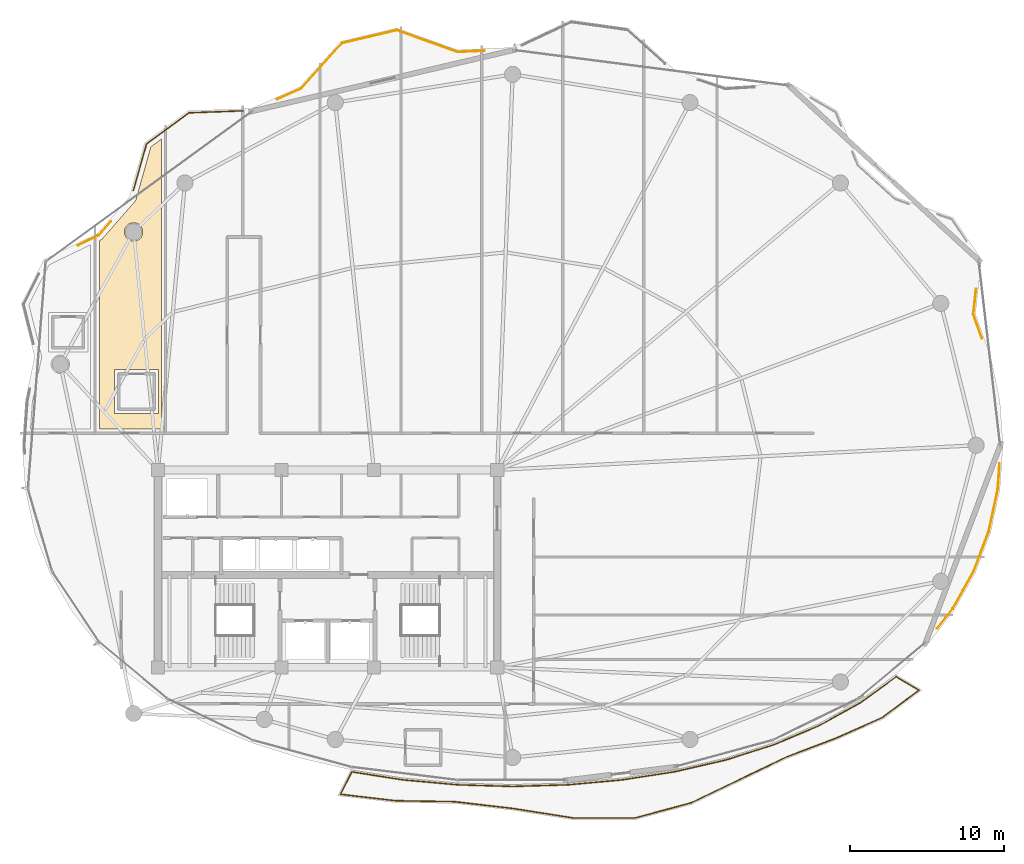
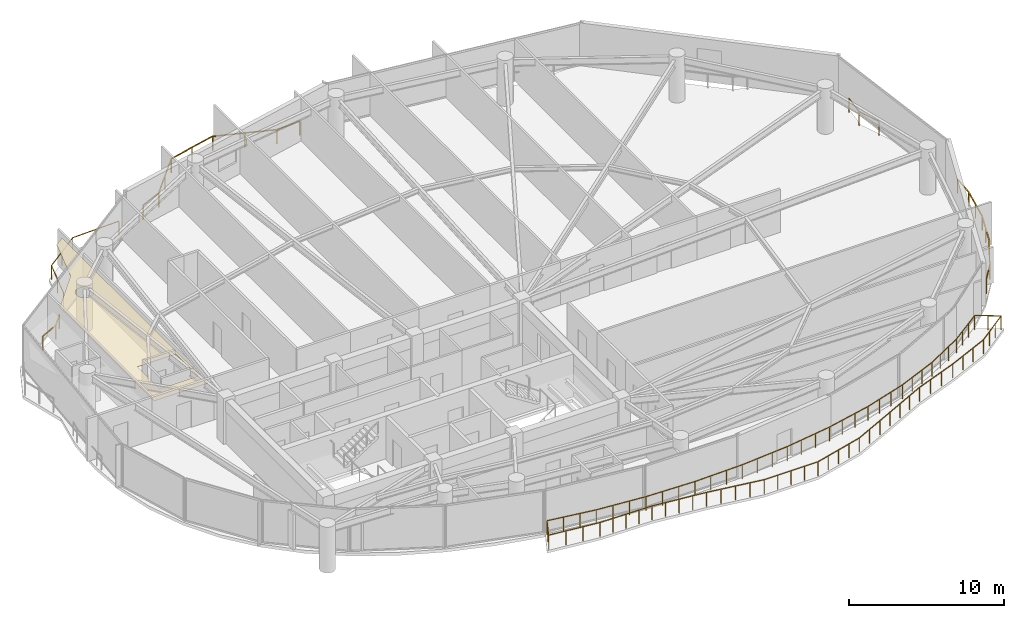
# One storey, part 30 of 31: 6 railings, 1 covering.
"""IFC4 building model written with IfcOpenShell, lengths in metres."""

from ifc_helpers import new_model, si_unit, direction, frame, origin, origin_2d, place, context, subcontext, project, spatial, polyline, rectangle, outline, extrude, material, layer, layer_set, type_object, element, save


model = new_model("IFC4")

# Units and contexts
model_context = context("Model", 3, precision=1e-05, world=origin(), true_north=direction((0.0, 1.0)))
body_context = subcontext(model_context, "Body", "Model", "MODEL_VIEW")
ifc_project = project(units=[si_unit("LENGTHUNIT", "METRE"), si_unit("AREAUNIT", "SQUARE_METRE"), si_unit("VOLUMEUNIT", "CUBIC_METRE"), si_unit("PLANEANGLEUNIT", "RADIAN"), si_unit("MASSUNIT", "GRAM", prefix="KILO")], contexts=[model_context])

# Site, building, storey
site_placement = place(None, origin())
site = spatial("IfcSite", under=ifc_project, at=site_placement, CompositionType="ELEMENT")
building_placement = place(site_placement, origin())
building = spatial("IfcBuilding", under=site, at=building_placement, Name="Kazevale Care Tower and Concert Hall", CompositionType="ELEMENT")
storey_placement = place(building_placement, frame((0.0, 0.0, 235.199951171875)))
storey = spatial("IfcBuildingStorey", under=building, at=storey_placement, Name="L62", CompositionType="ELEMENT", Elevation=235.199951171875)

# Covering
ifc_material_1 = material(Name="Acoustic Plaster and Hinoki Wood", Category="wood")
ifc_layer = layer(ifc_material_1, 0.0400390625)
ifc_layer_set = layer_set([ifc_layer], Name="Acoustic Plaster and Hinoki Wood")
covering_type = type_object("IfcCoveringType", Name="Acoustic Perforated Wood-Gypsum Ceiling", PredefinedType="CEILING", material=ifc_layer_set)
covering_placement = place(storey_placement, frame((0.0, 0.0, 2.7099609375)))
element("IfcCovering", 1, at=covering_placement, inside=storey, type_object=covering_type, Name="clg:L62:2", PredefinedType="CEILING", context=body_context, shape_type="SweptSolid", body=[
    extrude(outline(polyline([(22.219970703125, 39.054931640625), (18.199951171875, 39.054931640625), (18.199951171875, 51.27587890625), (18.35888671875, 51.35302734375), (20.552001953125, 53.861083984375), (21.534912109375, 57.344970703125), (22.219970703125, 57.84912109375), (22.219970703125, 39.054931640625)]), holes=[polyline([(19.18994140625, 42.905029296875), (19.18994140625, 40.044921875), (22.050048828125, 40.044921875), (22.050048828125, 42.905029296875), (19.18994140625, 42.905029296875)]), polyline([(21.012939453125, 51.947998046875), (20.923095703125, 52.166015625), (20.756103515625, 52.3330078125), (20.5380859375, 52.423095703125), (20.302001953125, 52.423095703125), (20.083984375, 52.3330078125), (19.9169921875, 52.166015625), (19.826904296875, 51.947998046875), (19.826904296875, 51.7119140625), (19.9169921875, 51.493896484375), (20.083984375, 51.326904296875), (20.302001953125, 51.237060546875), (20.5380859375, 51.237060546875), (20.756103515625, 51.326904296875), (20.923095703125, 51.493896484375), (21.012939453125, 51.7119140625), (21.012939453125, 51.947998046875)])]), origin(), (0.0, 0.0, 1.0), 0.0400390625),
])

# Railings
ifc_material_2 = material(Name="Anodised Bronze Aluminium and Laminated Glass", Category="aluminium")
railing_type = type_object("IfcRailingType", Name="Balcony and Terrace Balustrade 1120", PredefinedType="BALUSTRADE", material=ifc_material_2)
railing_1_placement = place(storey_placement, frame((16.83203125, 50.968994140625, 0.0)))
element("IfcRailing", 2, at=railing_1_placement, inside=storey, type_object=railing_type, Name="rail:L62:perim:3", PredefinedType="BALUSTRADE", context=body_context, shape_type="SweptSolid", body=[
    extrude(rectangle(XDim=0.048095703125, YDim=0.048095703125, at=origin_2d()), frame((0.0, 0.0, 1.09619140625), z_axis=(0.899880965399, 0.436135584553, 0.0), x_axis=(-0.436135584553, 0.899880965399, 0.0)), (0.0, 0.0, 1.0), 1.476806640625),
    extrude(rectangle(XDim=0.048095703125, YDim=0.048095703125, at=origin_2d()), frame((1.328857421875, 0.64404296875, 1.09619140625), z_axis=(0.658533673371, 0.752551261402, 0.0), x_axis=(-0.752551261402, 0.658533673371, 0.0)), (0.0, 0.0, 1.0), 1.189208984375),
    extrude(rectangle(XDim=0.0419921875, YDim=0.0419921875, at=origin_2d()), origin(), (0.0, 0.0, 1.0), 1.072021484375),
    extrude(rectangle(XDim=0.0419921875, YDim=0.0419921875, at=origin_2d()), frame((1.328857421875, 0.64404296875, 0.0)), (0.0, 0.0, 1.0), 1.072021484375),
    extrude(rectangle(XDim=0.0419921875, YDim=0.0419921875, at=origin_2d()), frame((2.112060546875, 1.5390625, 0.0)), (0.0, 0.0, 1.0), 1.072021484375),
])
railing_2_placement = place(storey_placement, frame((20.403076171875, 54.511962890625, 0.0)))
element("IfcRailing", 3, at=railing_2_placement, inside=storey, type_object=railing_type, Name="rail:L62:perim:4", PredefinedType="BALUSTRADE", context=body_context, shape_type="SweptSolid", body=[
    extrude(rectangle(XDim=0.048095703125, YDim=0.048095703125, at=origin_2d()), frame((0.0, 0.0, 1.09619140625), z_axis=(0.27160216444, 0.962409613559, 0.0), x_axis=(-0.962409613559, 0.27160216444, 0.0)), (0.0, 0.0, 1.0), 3.144287109375),
    extrude(rectangle(XDim=0.048095703125, YDim=0.048095703125, at=origin_2d()), frame((0.85400390625, 3.026123046875, 1.09619140625), z_axis=(0.805881115656, 0.592077382973, 0.0), x_axis=(-0.592077382973, 0.805881115656, 0.0)), (0.0, 0.0, 1.0), 3.40966796875),
    extrude(rectangle(XDim=0.048095703125, YDim=0.048095703125, at=origin_2d()), frame((3.601806640625, 5.044921875, 1.09619140625), z_axis=(0.999339175446, 0.036348485787, 0.0), x_axis=(-0.036348485787, 0.999339175446, 0.0)), (0.0, 0.0, 1.0), 3.499267578125),
    extrude(rectangle(XDim=0.0419921875, YDim=0.0419921875, at=origin_2d()), origin(), (0.0, 0.0, 1.0), 1.072021484375),
    extrude(rectangle(XDim=0.0419921875, YDim=0.0419921875, at=origin_2d()), frame((0.427001953125, 1.51318359375, 0.0)), (0.0, 0.0, 1.0), 1.072021484375),
    extrude(rectangle(XDim=0.0419921875, YDim=0.0419921875, at=origin_2d()), frame((0.85400390625, 3.026123046875, 0.0)), (0.0, 0.0, 1.0), 1.072021484375),
    extrude(rectangle(XDim=0.0419921875, YDim=0.0419921875, at=origin_2d()), frame((2.22802734375, 4.03564453125, 0.0)), (0.0, 0.0, 1.0), 1.072021484375),
    extrude(rectangle(XDim=0.0419921875, YDim=0.0419921875, at=origin_2d()), frame((3.601806640625, 5.044921875, 0.0)), (0.0, 0.0, 1.0), 1.072021484375),
    extrude(rectangle(XDim=0.0419921875, YDim=0.0419921875, at=origin_2d()), frame((5.350341796875, 5.1083984375, 0.0)), (0.0, 0.0, 1.0), 1.072021484375),
    extrude(rectangle(XDim=0.0419921875, YDim=0.0419921875, at=origin_2d()), frame((7.098876953125, 5.172119140625, 0.0)), (0.0, 0.0, 1.0), 1.072021484375),
])
railing_3_placement = place(storey_placement, frame((29.737060546875, 60.43505859375, 0.0)))
element("IfcRailing", 4, at=railing_3_placement, inside=storey, type_object=railing_type, Name="rail:L62:perim:5", PredefinedType="BALUSTRADE", context=body_context, shape_type="SweptSolid", body=[
    extrude(rectangle(XDim=0.048095703125, YDim=0.048095703125, at=origin_2d()), frame((0.0, 0.0, 1.09619140625), z_axis=(0.912729386392, 0.408564642641, 0.0), x_axis=(-0.408564642641, 0.912729386392, 0.0)), (0.0, 0.0, 1.0), 1.6982421875),
    extrude(rectangle(XDim=0.048095703125, YDim=0.048095703125, at=origin_2d()), frame((1.550048828125, 0.69384765625, 1.09619140625), z_axis=(0.668500240789, 0.743711925456, 0.0), x_axis=(-0.743711925456, 0.668500240789, 0.0)), (0.0, 0.0, 1.0), 3.950439453125),
    extrude(rectangle(XDim=0.048095703125, YDim=0.048095703125, at=origin_2d()), frame((4.19091796875, 3.6318359375, 1.09619140625), z_axis=(0.97312090779, 0.2302948085, 0.0), x_axis=(-0.2302948085, 0.97312090779, 0.0)), (0.0, 0.0, 1.0), 3.652099609375),
    extrude(rectangle(XDim=0.048095703125, YDim=0.048095703125, at=origin_2d()), frame((7.744873046875, 4.472900390625, 1.09619140625), z_axis=(0.941350252636, -0.337431032749, 0.0), x_axis=(0.337431032749, 0.941350252636, 0.0)), (0.0, 0.0, 1.0), 4.18115234375),
    extrude(rectangle(XDim=0.048095703125, YDim=0.048095703125, at=origin_2d()), frame((11.680908203125, 3.06201171875, 1.09619140625), z_axis=(0.998977358959, 0.045213231333, 0.0), x_axis=(-0.045213231333, 0.998977358959, 0.0)), (0.0, 0.0, 1.0), 1.765625),
    extrude(rectangle(XDim=0.0419921875, YDim=0.0419921875, at=origin_2d()), origin(), (0.0, 0.0, 1.0), 1.072021484375),
    extrude(rectangle(XDim=0.0419921875, YDim=0.0419921875, at=origin_2d()), frame((1.550048828125, 0.69384765625, 0.0)), (0.0, 0.0, 1.0), 1.072021484375),
    extrude(rectangle(XDim=0.0419921875, YDim=0.0419921875, at=origin_2d()), frame((2.87060546875, 2.162841796875, 0.0)), (0.0, 0.0, 1.0), 1.072021484375),
    extrude(rectangle(XDim=0.0419921875, YDim=0.0419921875, at=origin_2d()), frame((4.19091796875, 3.6318359375, 0.0)), (0.0, 0.0, 1.0), 1.072021484375),
    extrude(rectangle(XDim=0.0419921875, YDim=0.0419921875, at=origin_2d()), frame((5.9677734375, 4.05224609375, 0.0)), (0.0, 0.0, 1.0), 1.072021484375),
    extrude(rectangle(XDim=0.0419921875, YDim=0.0419921875, at=origin_2d()), frame((7.744873046875, 4.472900390625, 0.0)), (0.0, 0.0, 1.0), 1.072021484375),
    extrude(rectangle(XDim=0.0419921875, YDim=0.0419921875, at=origin_2d()), frame((9.712890625, 3.767578125, 0.0)), (0.0, 0.0, 1.0), 1.072021484375),
    extrude(rectangle(XDim=0.0419921875, YDim=0.0419921875, at=origin_2d()), frame((11.680908203125, 3.06201171875, 0.0)), (0.0, 0.0, 1.0), 1.072021484375),
    extrude(rectangle(XDim=0.0419921875, YDim=0.0419921875, at=origin_2d()), frame((13.44482421875, 3.141845703125, 0.0)), (0.0, 0.0, 1.0), 1.072021484375),
])
railing_4_placement = place(storey_placement, frame((76.576904296875, 36.81103515625, 0.0)))
element("IfcRailing", 5, at=railing_4_placement, inside=storey, type_object=railing_type, Name="rail:L62:perim:11", PredefinedType="BALUSTRADE", context=body_context, shape_type="SweptSolid", body=[
    extrude(rectangle(XDim=0.048095703125, YDim=0.048095703125, at=origin_2d()), frame((0.0, 0.0, 1.09619140625), z_axis=(-0.069683140934, -0.997569175481, 0.0), x_axis=(0.997569175481, -0.069683140934, 0.0)), (0.0, 0.0, 1.0), 1.664306640625),
    extrude(rectangle(XDim=0.048095703125, YDim=0.048095703125, at=origin_2d()), frame((-0.115966796875, -1.66015625, 1.09619140625), z_axis=(-0.210886672564, -0.97751051725, 0.0), x_axis=(0.97751051725, -0.210886672564, 0.0)), (0.0, 0.0, 1.0), 2.81201171875),
    extrude(rectangle(XDim=0.048095703125, YDim=0.048095703125, at=origin_2d()), frame((-0.708984375, -4.408935546875, 1.09619140625), z_axis=(-0.352914941795, -0.935655408715, 0.0), x_axis=(0.935655408715, -0.352914941795, 0.0)), (0.0, 0.0, 1.0), 2.77685546875),
    extrude(rectangle(XDim=0.048095703125, YDim=0.048095703125, at=origin_2d()), frame((-1.68896484375, -7.007080078125, 1.09619140625), z_axis=(-0.490131162051, -0.871648692987, 0.0), x_axis=(0.871648692987, -0.490131162051, 0.0)), (0.0, 0.0, 1.0), 2.762451171875),
    extrude(rectangle(XDim=0.048095703125, YDim=0.048095703125, at=origin_2d()), frame((-3.04296875, -9.4150390625, 1.09619140625), z_axis=(-0.615507243123, -0.788131228707, 0.0), x_axis=(0.788131228707, -0.615507243123, 0.0)), (0.0, 0.0, 1.0), 1.6279296875),
    extrude(rectangle(XDim=0.0419921875, YDim=0.0419921875, at=origin_2d()), origin(), (0.0, 0.0, 1.0), 1.072021484375),
    extrude(rectangle(XDim=0.0419921875, YDim=0.0419921875, at=origin_2d()), frame((-0.115966796875, -1.66015625, 0.0)), (0.0, 0.0, 1.0), 1.072021484375),
    extrude(rectangle(XDim=0.0419921875, YDim=0.0419921875, at=origin_2d()), frame((-0.41259765625, -3.03466796875, 0.0)), (0.0, 0.0, 1.0), 1.072021484375),
    extrude(rectangle(XDim=0.0419921875, YDim=0.0419921875, at=origin_2d()), frame((-0.708984375, -4.408935546875, 0.0)), (0.0, 0.0, 1.0), 1.072021484375),
    extrude(rectangle(XDim=0.0419921875, YDim=0.0419921875, at=origin_2d()), frame((-1.198974609375, -5.7080078125, 0.0)), (0.0, 0.0, 1.0), 1.072021484375),
    extrude(rectangle(XDim=0.0419921875, YDim=0.0419921875, at=origin_2d()), frame((-1.68896484375, -7.007080078125, 0.0)), (0.0, 0.0, 1.0), 1.072021484375),
    extrude(rectangle(XDim=0.0419921875, YDim=0.0419921875, at=origin_2d()), frame((-2.365966796875, -8.2109375, 0.0)), (0.0, 0.0, 1.0), 1.072021484375),
    extrude(rectangle(XDim=0.0419921875, YDim=0.0419921875, at=origin_2d()), frame((-3.04296875, -9.4150390625, 0.0)), (0.0, 0.0, 1.0), 1.072021484375),
    extrude(rectangle(XDim=0.0419921875, YDim=0.0419921875, at=origin_2d()), frame((-4.044921875, -10.697998046875, 0.0)), (0.0, 0.0, 1.0), 1.072021484375),
])
railing_5_placement = place(storey_placement, frame((75.054931640625, 48.138916015625, 0.0)))
element("IfcRailing", 6, at=railing_5_placement, inside=storey, type_object=railing_type, Name="rail:L62:perim:12", PredefinedType="BALUSTRADE", context=body_context, shape_type="SweptSolid", body=[
    extrude(rectangle(XDim=0.048095703125, YDim=0.048095703125, at=origin_2d()), frame((0.0, 0.0, 1.09619140625), z_axis=(-0.110627099756, -0.993861984784, 0.0), x_axis=(0.993861984784, -0.110627099756, 0.0)), (0.0, 0.0, 1.0), 1.64404296875),
    extrude(rectangle(XDim=0.048095703125, YDim=0.048095703125, at=origin_2d()), frame((-0.181884765625, -1.634033203125, 1.09619140625), z_axis=(0.334582750454, -0.942366374134, 0.0), x_axis=(0.942366374134, 0.334582750454, 0.0)), (0.0, 0.0, 1.0), 1.65869140625),
    extrude(rectangle(XDim=0.0419921875, YDim=0.0419921875, at=origin_2d()), origin(), (0.0, 0.0, 1.0), 1.072021484375),
    extrude(rectangle(XDim=0.0419921875, YDim=0.0419921875, at=origin_2d()), frame((-0.181884765625, -1.634033203125, 0.0)), (0.0, 0.0, 1.0), 1.072021484375),
    extrude(rectangle(XDim=0.0419921875, YDim=0.0419921875, at=origin_2d()), frame((0.373046875, -3.197021484375, 0.0)), (0.0, 0.0, 1.0), 1.072021484375),
])
railing_6_placement = place(storey_placement, frame((34.56298828125, 16.819091796875, 0.0)))
element("IfcRailing", 7, at=railing_6_placement, inside=storey, type_object=railing_type, Name="rail:L62:balcony", PredefinedType="BALUSTRADE", context=body_context, shape_type="SweptSolid", body=[
    extrude(rectangle(XDim=0.048095703125, YDim=0.048095703125, at=origin_2d()), frame((0.0, 0.0, 1.09619140625), z_axis=(0.988093340761, -0.15385561395, 0.0), x_axis=(0.15385561395, 0.988093340761, 0.0)), (0.0, 0.0, 1.0), 3.38623046875),
    extrude(rectangle(XDim=0.048095703125, YDim=0.048095703125, at=origin_2d()), frame((3.345947265625, -0.52099609375, 1.09619140625), z_axis=(0.995947899496, -0.089932093766, 0.0), x_axis=(0.089932093766, 0.995947899496, 0.0)), (0.0, 0.0, 1.0), 3.537353515625),
    extrude(rectangle(XDim=0.048095703125, YDim=0.048095703125, at=origin_2d()), frame((6.868896484375, -0.839111328125, 1.09619140625), z_axis=(0.999567458851, -0.029409100739, 0.0), x_axis=(0.029409100739, 0.999567458851, 0.0)), (0.0, 0.0, 1.0), 3.569580078125),
    extrude(rectangle(XDim=0.048095703125, YDim=0.048095703125, at=origin_2d()), frame((10.43701171875, -0.944091796875, 1.09619140625), z_axis=(0.999567458851, 0.029409100739, 0.0), x_axis=(-0.029409100739, 0.999567458851, 0.0)), (0.0, 0.0, 1.0), 3.569580078125),
    extrude(rectangle(XDim=0.048095703125, YDim=0.048095703125, at=origin_2d()), frame((14.005126953125, -0.839111328125, 1.09619140625), z_axis=(0.995947899496, 0.089932093766, 0.0), x_axis=(-0.089932093766, 0.995947899496, 0.0)), (0.0, 0.0, 1.0), 3.537353515625),
    extrude(rectangle(XDim=0.048095703125, YDim=0.048095703125, at=origin_2d()), frame((17.528076171875, -0.52099609375, 1.09619140625), z_axis=(0.988098216207, 0.153824299539, 0.0), x_axis=(-0.153824299539, 0.988098216207, 0.0)), (0.0, 0.0, 1.0), 3.4775390625),
    extrude(rectangle(XDim=0.048095703125, YDim=0.048095703125, at=origin_2d()), frame((20.964111328125, 0.013916015625, 1.09619140625), z_axis=(0.974534254558, 0.224238682418, 0.0), x_axis=(-0.224238682418, 0.974534254558, 0.0)), (0.0, 0.0, 1.0), 3.389404296875),
    extrude(rectangle(XDim=0.048095703125, YDim=0.048095703125, at=origin_2d()), frame((24.26708984375, 0.77392578125, 1.09619140625), z_axis=(0.953239514235, 0.302215864078, 0.0), x_axis=(-0.302215864078, 0.953239514235, 0.0)), (0.0, 0.0, 1.0), 3.285400390625),
    extrude(rectangle(XDim=0.048095703125, YDim=0.048095703125, at=origin_2d()), frame((27.39892578125, 1.766845703125, 1.09619140625), z_axis=(0.921006567992, 0.389547046858, 0.0), x_axis=(-0.389547046858, 0.921006567992, 0.0)), (0.0, 0.0, 1.0), 3.170654296875),
    extrude(rectangle(XDim=0.048095703125, YDim=0.048095703125, at=origin_2d()), frame((30.319091796875, 3.001953125, 1.09619140625), z_axis=(0.874149737903, 0.485656499724, 0.0), x_axis=(-0.485656499724, 0.874149737903, 0.0)), (0.0, 0.0, 1.0), 3.055419921875),
    extrude(rectangle(XDim=0.048095703125, YDim=0.048095703125, at=origin_2d()), frame((32.989990234375, 4.48583984375, 1.09619140625), z_axis=(0.809111467971, 0.587655198562, 0.0), x_axis=(-0.587655198562, 0.809111467971, 0.0)), (0.0, 0.0, 1.0), 2.867431640625),
    extrude(rectangle(XDim=0.048095703125, YDim=0.048095703125, at=origin_2d()), frame((35.31005859375, 6.1708984375, 1.09619140625), z_axis=(0.858501274941, -0.512811428231, 0.0), x_axis=(0.512811428231, 0.858501274941, 0.0)), (0.0, 0.0, 1.0), 1.706298828125),
    extrude(rectangle(XDim=0.048095703125, YDim=0.048095703125, at=origin_2d()), frame((36.77490234375, 5.2958984375, 1.09619140625), z_axis=(-0.798998472515, -0.60133305324, 0.0), x_axis=(0.60133305324, -0.798998472515, 0.0)), (0.0, 0.0, 1.0), 2.928466796875),
    extrude(rectangle(XDim=0.048095703125, YDim=0.048095703125, at=origin_2d()), frame((34.43505859375, 3.534912109375, 1.09619140625), z_axis=(-0.913634171515, -0.406537329947, 0.0), x_axis=(0.406537329947, -0.913634171515, 0.0)), (0.0, 0.0, 1.0), 3.350341796875),
    extrude(rectangle(XDim=0.048095703125, YDim=0.048095703125, at=origin_2d()), frame((31.3740234375, 2.1728515625, 1.09619140625), z_axis=(-0.935008233728, -0.35462600421, 0.0), x_axis=(0.35462600421, -0.935008233728, 0.0)), (0.0, 0.0, 1.0), 3.38916015625),
    extrude(rectangle(XDim=0.048095703125, YDim=0.048095703125, at=origin_2d()), frame((28.205078125, 0.970947265625, 1.09619140625), z_axis=(-0.900843112314, -0.434144776539, 0.0), x_axis=(0.434144776539, -0.900843112314, 0.0)), (0.0, 0.0, 1.0), 3.3447265625),
    extrude(rectangle(XDim=0.048095703125, YDim=0.048095703125, at=origin_2d()), frame((25.19189453125, -0.481201171875, 1.09619140625), z_axis=(-0.901317076738, -0.433159932565, 0.0), x_axis=(0.433159932565, -0.901317076738, 0.0)), (0.0, 0.0, 1.0), 3.515869140625),
    extrude(rectangle(XDim=0.048095703125, YDim=0.048095703125, at=origin_2d()), frame((22.02294921875, -2.004150390625, 1.09619140625), z_axis=(-0.965580087265, -0.260105930493, 0.0), x_axis=(0.260105930493, -0.965580087265, 0.0)), (0.0, 0.0, 1.0), 3.767578125),
    extrude(rectangle(XDim=0.048095703125, YDim=0.048095703125, at=origin_2d()), frame((18.385009765625, -2.984130859375, 1.09619140625), z_axis=(-0.999997959398, -0.002020197898, 0.0), x_axis=(0.002020197898, -0.999997959398, 0.0)), (0.0, 0.0, 1.0), 3.988037109375),
    extrude(rectangle(XDim=0.048095703125, YDim=0.048095703125, at=origin_2d()), frame((14.39697265625, -2.9921875, 1.09619140625), z_axis=(-0.987787742655, 0.155805569412, 0.0), x_axis=(-0.155805569412, -0.987787742655, 0.0)), (0.0, 0.0, 1.0), 3.99267578125),
    extrude(rectangle(XDim=0.048095703125, YDim=0.048095703125, at=origin_2d()), frame((10.453125, -2.3701171875, 1.09619140625), z_axis=(-0.993345948438, 0.115168688115, 0.0), x_axis=(-0.115168688115, -0.993345948438, 0.0)), (0.0, 0.0, 1.0), 3.8115234375),
    extrude(rectangle(XDim=0.048095703125, YDim=0.048095703125, at=origin_2d()), frame((6.6669921875, -1.93115234375, 1.09619140625), z_axis=(-0.999876497549, 0.015715904313, 0.0), x_axis=(-0.015715904313, -0.999876497549, 0.0)), (0.0, 0.0, 1.0), 3.821533203125),
    extrude(rectangle(XDim=0.048095703125, YDim=0.048095703125, at=origin_2d()), frame((2.845947265625, -1.87109375, 1.09619140625), z_axis=(-0.993152458718, 0.116825484133, 0.0), x_axis=(-0.116825484133, -0.993152458718, 0.0)), (0.0, 0.0, 1.0), 3.594482421875),
    extrude(rectangle(XDim=0.048095703125, YDim=0.048095703125, at=origin_2d()), frame((-0.723876953125, -1.451171875, 1.09619140625), z_axis=(0.446370336507, 0.894848323844, 0.0), x_axis=(-0.894848323844, 0.446370336507, 0.0)), (0.0, 0.0, 1.0), 1.62158203125),
    extrude(rectangle(XDim=0.0419921875, YDim=0.0419921875, at=origin_2d()), origin(), (0.0, 0.0, 1.0), 1.072021484375),
    extrude(rectangle(XDim=0.0419921875, YDim=0.0419921875, at=origin_2d()), frame((1.115234375, -0.173583984375, 0.0)), (0.0, 0.0, 1.0), 1.072021484375),
    extrude(rectangle(XDim=0.0419921875, YDim=0.0419921875, at=origin_2d()), frame((2.230712890625, -0.347412109375, 0.0)), (0.0, 0.0, 1.0), 1.072021484375),
    extrude(rectangle(XDim=0.0419921875, YDim=0.0419921875, at=origin_2d()), frame((3.345947265625, -0.52099609375, 0.0)), (0.0, 0.0, 1.0), 1.072021484375),
    extrude(rectangle(XDim=0.0419921875, YDim=0.0419921875, at=origin_2d()), frame((4.520263671875, -0.626953125, 0.0)), (0.0, 0.0, 1.0), 1.072021484375),
    extrude(rectangle(XDim=0.0419921875, YDim=0.0419921875, at=origin_2d()), frame((5.694580078125, -0.733154296875, 0.0)), (0.0, 0.0, 1.0), 1.072021484375),
    extrude(rectangle(XDim=0.0419921875, YDim=0.0419921875, at=origin_2d()), frame((6.868896484375, -0.839111328125, 0.0)), (0.0, 0.0, 1.0), 1.072021484375),
    extrude(rectangle(XDim=0.0419921875, YDim=0.0419921875, at=origin_2d()), frame((8.058349609375, -0.8740234375, 0.0)), (0.0, 0.0, 1.0), 1.072021484375),
    extrude(rectangle(XDim=0.0419921875, YDim=0.0419921875, at=origin_2d()), frame((9.24755859375, -0.9091796875, 0.0)), (0.0, 0.0, 1.0), 1.072021484375),
    extrude(rectangle(XDim=0.0419921875, YDim=0.0419921875, at=origin_2d()), frame((10.43701171875, -0.944091796875, 0.0)), (0.0, 0.0, 1.0), 1.072021484375),
    extrude(rectangle(XDim=0.0419921875, YDim=0.0419921875, at=origin_2d()), frame((11.62646484375, -0.9091796875, 0.0)), (0.0, 0.0, 1.0), 1.072021484375),
    extrude(rectangle(XDim=0.0419921875, YDim=0.0419921875, at=origin_2d()), frame((12.815673828125, -0.8740234375, 0.0)), (0.0, 0.0, 1.0), 1.072021484375),
    extrude(rectangle(XDim=0.0419921875, YDim=0.0419921875, at=origin_2d()), frame((14.005126953125, -0.839111328125, 0.0)), (0.0, 0.0, 1.0), 1.072021484375),
    extrude(rectangle(XDim=0.0419921875, YDim=0.0419921875, at=origin_2d()), frame((15.179443359375, -0.733154296875, 0.0)), (0.0, 0.0, 1.0), 1.072021484375),
    extrude(rectangle(XDim=0.0419921875, YDim=0.0419921875, at=origin_2d()), frame((16.353759765625, -0.626953125, 0.0)), (0.0, 0.0, 1.0), 1.072021484375),
    extrude(rectangle(XDim=0.0419921875, YDim=0.0419921875, at=origin_2d()), frame((17.528076171875, -0.52099609375, 0.0)), (0.0, 0.0, 1.0), 1.072021484375),
    extrude(rectangle(XDim=0.0419921875, YDim=0.0419921875, at=origin_2d()), frame((18.67333984375, -0.3427734375, 0.0)), (0.0, 0.0, 1.0), 1.072021484375),
    extrude(rectangle(XDim=0.0419921875, YDim=0.0419921875, at=origin_2d()), frame((19.81884765625, -0.164306640625, 0.0)), (0.0, 0.0, 1.0), 1.072021484375),
    extrude(rectangle(XDim=0.0419921875, YDim=0.0419921875, at=origin_2d()), frame((20.964111328125, 0.013916015625, 0.0)), (0.0, 0.0, 1.0), 1.072021484375),
    extrude(rectangle(XDim=0.0419921875, YDim=0.0419921875, at=origin_2d()), frame((22.065185546875, 0.267333984375, 0.0)), (0.0, 0.0, 1.0), 1.072021484375),
    extrude(rectangle(XDim=0.0419921875, YDim=0.0419921875, at=origin_2d()), frame((23.166015625, 0.5205078125, 0.0)), (0.0, 0.0, 1.0), 1.072021484375),
    extrude(rectangle(XDim=0.0419921875, YDim=0.0419921875, at=origin_2d()), frame((24.26708984375, 0.77392578125, 0.0)), (0.0, 0.0, 1.0), 1.072021484375),
    extrude(rectangle(XDim=0.0419921875, YDim=0.0419921875, at=origin_2d()), frame((25.31103515625, 1.10498046875, 0.0)), (0.0, 0.0, 1.0), 1.072021484375),
    extrude(rectangle(XDim=0.0419921875, YDim=0.0419921875, at=origin_2d()), frame((26.35498046875, 1.435791015625, 0.0)), (0.0, 0.0, 1.0), 1.072021484375),
    extrude(rectangle(XDim=0.0419921875, YDim=0.0419921875, at=origin_2d()), frame((27.39892578125, 1.766845703125, 0.0)), (0.0, 0.0, 1.0), 1.072021484375),
    extrude(rectangle(XDim=0.0419921875, YDim=0.0419921875, at=origin_2d()), frame((28.372314453125, 2.178466796875, 0.0)), (0.0, 0.0, 1.0), 1.072021484375),
    extrude(rectangle(XDim=0.0419921875, YDim=0.0419921875, at=origin_2d()), frame((29.345703125, 2.59033203125, 0.0)), (0.0, 0.0, 1.0), 1.072021484375),
    extrude(rectangle(XDim=0.0419921875, YDim=0.0419921875, at=origin_2d()), frame((30.319091796875, 3.001953125, 0.0)), (0.0, 0.0, 1.0), 1.072021484375),
    extrude(rectangle(XDim=0.0419921875, YDim=0.0419921875, at=origin_2d()), frame((31.20947265625, 3.49658203125, 0.0)), (0.0, 0.0, 1.0), 1.072021484375),
    extrude(rectangle(XDim=0.0419921875, YDim=0.0419921875, at=origin_2d()), frame((32.099609375, 3.9912109375, 0.0)), (0.0, 0.0, 1.0), 1.072021484375),
    extrude(rectangle(XDim=0.0419921875, YDim=0.0419921875, at=origin_2d()), frame((32.989990234375, 4.48583984375, 0.0)), (0.0, 0.0, 1.0), 1.072021484375),
    extrude(rectangle(XDim=0.0419921875, YDim=0.0419921875, at=origin_2d()), frame((33.763427734375, 5.047607421875, 0.0)), (0.0, 0.0, 1.0), 1.072021484375),
    extrude(rectangle(XDim=0.0419921875, YDim=0.0419921875, at=origin_2d()), frame((34.53662109375, 5.609130859375, 0.0)), (0.0, 0.0, 1.0), 1.072021484375),
    extrude(rectangle(XDim=0.0419921875, YDim=0.0419921875, at=origin_2d()), frame((35.31005859375, 6.1708984375, 0.0)), (0.0, 0.0, 1.0), 1.072021484375),
    extrude(rectangle(XDim=0.0419921875, YDim=0.0419921875, at=origin_2d()), frame((36.04248046875, 5.7333984375, 0.0)), (0.0, 0.0, 1.0), 1.072021484375),
    extrude(rectangle(XDim=0.0419921875, YDim=0.0419921875, at=origin_2d()), frame((36.77490234375, 5.2958984375, 0.0)), (0.0, 0.0, 1.0), 1.072021484375),
    extrude(rectangle(XDim=0.0419921875, YDim=0.0419921875, at=origin_2d()), frame((35.994873046875, 4.708984375, 0.0)), (0.0, 0.0, 1.0), 1.072021484375),
    extrude(rectangle(XDim=0.0419921875, YDim=0.0419921875, at=origin_2d()), frame((35.215087890625, 4.121826171875, 0.0)), (0.0, 0.0, 1.0), 1.072021484375),
    extrude(rectangle(XDim=0.0419921875, YDim=0.0419921875, at=origin_2d()), frame((34.43505859375, 3.534912109375, 0.0)), (0.0, 0.0, 1.0), 1.072021484375),
    extrude(rectangle(XDim=0.0419921875, YDim=0.0419921875, at=origin_2d()), frame((33.414794921875, 3.080810546875, 0.0)), (0.0, 0.0, 1.0), 1.072021484375),
    extrude(rectangle(XDim=0.0419921875, YDim=0.0419921875, at=origin_2d()), frame((32.394287109375, 2.626953125, 0.0)), (0.0, 0.0, 1.0), 1.072021484375),
    extrude(rectangle(XDim=0.0419921875, YDim=0.0419921875, at=origin_2d()), frame((31.3740234375, 2.1728515625, 0.0)), (0.0, 0.0, 1.0), 1.072021484375),
    extrude(rectangle(XDim=0.0419921875, YDim=0.0419921875, at=origin_2d()), frame((30.317626953125, 1.772216796875, 0.0)), (0.0, 0.0, 1.0), 1.072021484375),
    extrude(rectangle(XDim=0.0419921875, YDim=0.0419921875, at=origin_2d()), frame((29.261474609375, 1.37158203125, 0.0)), (0.0, 0.0, 1.0), 1.072021484375),
    extrude(rectangle(XDim=0.0419921875, YDim=0.0419921875, at=origin_2d()), frame((28.205078125, 0.970947265625, 0.0)), (0.0, 0.0, 1.0), 1.072021484375),
    extrude(rectangle(XDim=0.0419921875, YDim=0.0419921875, at=origin_2d()), frame((27.20068359375, 0.48681640625, 0.0)), (0.0, 0.0, 1.0), 1.072021484375),
    extrude(rectangle(XDim=0.0419921875, YDim=0.0419921875, at=origin_2d()), frame((26.1962890625, 0.0029296875, 0.0)), (0.0, 0.0, 1.0), 1.072021484375),
    extrude(rectangle(XDim=0.0419921875, YDim=0.0419921875, at=origin_2d()), frame((25.19189453125, -0.481201171875, 0.0)), (0.0, 0.0, 1.0), 1.072021484375),
    extrude(rectangle(XDim=0.0419921875, YDim=0.0419921875, at=origin_2d()), frame((24.135498046875, -0.98876953125, 0.0)), (0.0, 0.0, 1.0), 1.072021484375),
    extrude(rectangle(XDim=0.0419921875, YDim=0.0419921875, at=origin_2d()), frame((23.079345703125, -1.49658203125, 0.0)), (0.0, 0.0, 1.0), 1.072021484375),
    extrude(rectangle(XDim=0.0419921875, YDim=0.0419921875, at=origin_2d()), frame((22.02294921875, -2.004150390625, 0.0)), (0.0, 0.0, 1.0), 1.072021484375),
    extrude(rectangle(XDim=0.0419921875, YDim=0.0419921875, at=origin_2d()), frame((21.113525390625, -2.2490234375, 0.0)), (0.0, 0.0, 1.0), 1.072021484375),
    extrude(rectangle(XDim=0.0419921875, YDim=0.0419921875, at=origin_2d()), frame((20.2041015625, -2.494140625, 0.0)), (0.0, 0.0, 1.0), 1.072021484375),
    extrude(rectangle(XDim=0.0419921875, YDim=0.0419921875, at=origin_2d()), frame((19.29443359375, -2.7392578125, 0.0)), (0.0, 0.0, 1.0), 1.072021484375),
    extrude(rectangle(XDim=0.0419921875, YDim=0.0419921875, at=origin_2d()), frame((18.385009765625, -2.984130859375, 0.0)), (0.0, 0.0, 1.0), 1.072021484375),
    extrude(rectangle(XDim=0.0419921875, YDim=0.0419921875, at=origin_2d()), frame((17.387939453125, -2.986083984375, 0.0)), (0.0, 0.0, 1.0), 1.072021484375),
    extrude(rectangle(XDim=0.0419921875, YDim=0.0419921875, at=origin_2d()), frame((16.39111328125, -2.98828125, 0.0)), (0.0, 0.0, 1.0), 1.072021484375),
    extrude(rectangle(XDim=0.0419921875, YDim=0.0419921875, at=origin_2d()), frame((15.39404296875, -2.990234375, 0.0)), (0.0, 0.0, 1.0), 1.072021484375),
    extrude(rectangle(XDim=0.0419921875, YDim=0.0419921875, at=origin_2d()), frame((14.39697265625, -2.9921875, 0.0)), (0.0, 0.0, 1.0), 1.072021484375),
    extrude(rectangle(XDim=0.0419921875, YDim=0.0419921875, at=origin_2d()), frame((13.4111328125, -2.836669921875, 0.0)), (0.0, 0.0, 1.0), 1.072021484375),
    extrude(rectangle(XDim=0.0419921875, YDim=0.0419921875, at=origin_2d()), frame((12.425048828125, -2.68115234375, 0.0)), (0.0, 0.0, 1.0), 1.072021484375),
    extrude(rectangle(XDim=0.0419921875, YDim=0.0419921875, at=origin_2d()), frame((11.43896484375, -2.525634765625, 0.0)), (0.0, 0.0, 1.0), 1.072021484375),
    extrude(rectangle(XDim=0.0419921875, YDim=0.0419921875, at=origin_2d()), frame((10.453125, -2.3701171875, 0.0)), (0.0, 0.0, 1.0), 1.072021484375),
    extrude(rectangle(XDim=0.0419921875, YDim=0.0419921875, at=origin_2d()), frame((9.506591796875, -2.26025390625, 0.0)), (0.0, 0.0, 1.0), 1.072021484375),
    extrude(rectangle(XDim=0.0419921875, YDim=0.0419921875, at=origin_2d()), frame((8.56005859375, -2.150634765625, 0.0)), (0.0, 0.0, 1.0), 1.072021484375),
    extrude(rectangle(XDim=0.0419921875, YDim=0.0419921875, at=origin_2d()), frame((7.613525390625, -2.041015625, 0.0)), (0.0, 0.0, 1.0), 1.072021484375),
    extrude(rectangle(XDim=0.0419921875, YDim=0.0419921875, at=origin_2d()), frame((6.6669921875, -1.93115234375, 0.0)), (0.0, 0.0, 1.0), 1.072021484375),
    extrude(rectangle(XDim=0.0419921875, YDim=0.0419921875, at=origin_2d()), frame((5.711669921875, -1.916015625, 0.0)), (0.0, 0.0, 1.0), 1.072021484375),
    extrude(rectangle(XDim=0.0419921875, YDim=0.0419921875, at=origin_2d()), frame((4.75634765625, -1.901123046875, 0.0)), (0.0, 0.0, 1.0), 1.072021484375),
    extrude(rectangle(XDim=0.0419921875, YDim=0.0419921875, at=origin_2d()), frame((3.80126953125, -1.88623046875, 0.0)), (0.0, 0.0, 1.0), 1.072021484375),
    extrude(rectangle(XDim=0.0419921875, YDim=0.0419921875, at=origin_2d()), frame((2.845947265625, -1.87109375, 0.0)), (0.0, 0.0, 1.0), 1.072021484375),
    extrude(rectangle(XDim=0.0419921875, YDim=0.0419921875, at=origin_2d()), frame((1.656005859375, -1.731201171875, 0.0)), (0.0, 0.0, 1.0), 1.072021484375),
    extrude(rectangle(XDim=0.0419921875, YDim=0.0419921875, at=origin_2d()), frame((0.466064453125, -1.591064453125, 0.0)), (0.0, 0.0, 1.0), 1.072021484375),
    extrude(rectangle(XDim=0.0419921875, YDim=0.0419921875, at=origin_2d()), frame((-0.723876953125, -1.451171875, 0.0)), (0.0, 0.0, 1.0), 1.072021484375),
    extrude(rectangle(XDim=0.0419921875, YDim=0.0419921875, at=origin_2d()), frame((-0.36181640625, -0.7255859375, 0.0)), (0.0, 0.0, 1.0), 1.072021484375),
])

save(model, "model.ifc")
